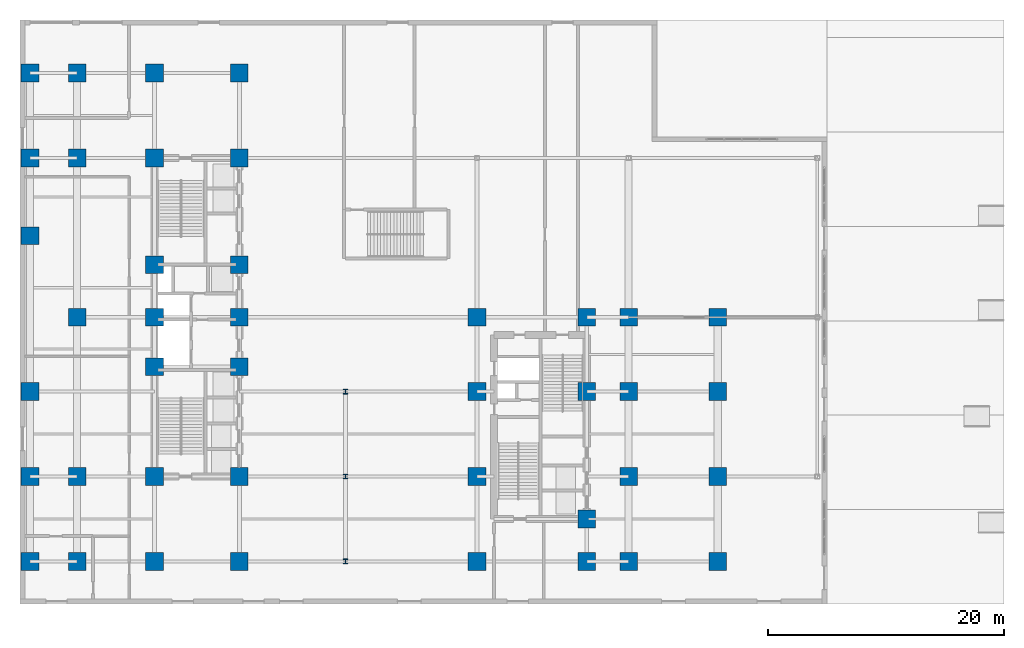
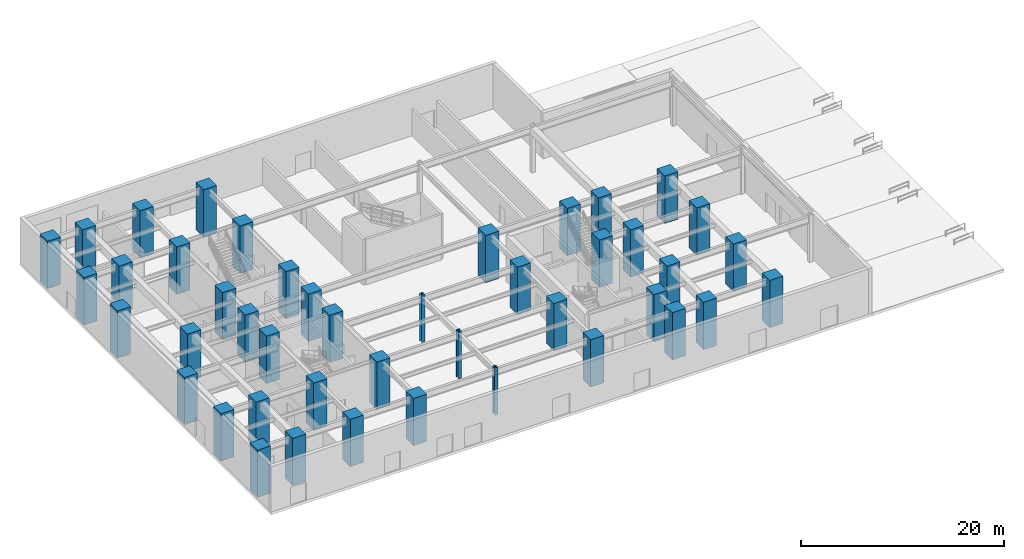
# One storey, part 1 of 18: 44 columns.
"""IFC4 building model written with IfcOpenShell, lengths in metres."""

from ifc_helpers import new_model, entity, si_unit, converted_unit, direction, frame, origin_with_axes, origin_2d_with_axis, place, context, subcontext, project, spatial, rectangle, i_section, extrude, material, material_profile, profile_set, type_object, element, save


model = new_model("IFC4")

# Units and contexts
model_context = context("Model", 3, precision=1e-05, world=origin_with_axes(), true_north=direction((0.0, 1.0)))
body_context = subcontext(model_context, "Body", "Model", "MODEL_VIEW")
ifc_project = project(units=[si_unit("LENGTHUNIT", "METRE"), si_unit("AREAUNIT", "SQUARE_METRE"), si_unit("VOLUMEUNIT", "CUBIC_METRE"), converted_unit("PLANEANGLEUNIT", "DEGREE", entity("IfcPlaneAngleMeasure", 0.017453292519943295), si_unit("PLANEANGLEUNIT", "RADIAN"), dimensions=[0, 0, 0, 0, 0, 0, 0]), si_unit("MASSUNIT", "GRAM", prefix="KILO"), si_unit("THERMODYNAMICTEMPERATUREUNIT", "KELVIN")], contexts=[model_context])

# Site, building, storey
site_placement = place(None, origin_with_axes())
site = spatial("IfcSite", under=ifc_project, at=site_placement, CompositionType="ELEMENT")
building_placement = place(site_placement, origin_with_axes())
building = spatial("IfcBuilding", under=site, at=building_placement, Name="Varnlund Millrace Tower", CompositionType="ELEMENT")
storey_placement = place(building_placement, origin_with_axes())
storey = spatial("IfcBuildingStorey", under=building, at=storey_placement, Name="L00", CompositionType="ELEMENT", Elevation=0.0)

# Columns
ifc_material_1 = material(Name="Steel ASTM A913 Grade 65", Category="steel")
ifc_material_profile_1 = material_profile(ifc_material_1, i_section(OverallWidth=0.406, OverallDepth=0.416, WebThickness=0.0298, FlangeThickness=0.048, FilletRadius=0.022, at=origin_2d_with_axis()), Name="Steel ASTM A913 Grade 65")
ifc_profile_set_1 = profile_set([ifc_material_profile_1], Name="Steel ASTM A913 Grade 65")
column_type_1 = type_object("IfcColumnType", Name="Type-Col-Int-W14X257", PredefinedType="COLUMN", material=ifc_profile_set_1)
for number, where, z_axis, x_axis, name in (
    (1, (27.6, 3.6, 0.0), (0.0, 0.0, 1.0), (1.0, 0.0, 0.0), "Type-Col-Int-W14X257"),
    (2, (27.6, 10.8, 0.0), (0.0, 0.0, 1.0), (1.0, 0.0, 0.0), "Type-Col-Int-W14X257"),
    (3, (27.6, 18.0, 0.0), (0.0, 0.0, 1.0), (1.0, 0.0, 0.0), "Type-Col-Int-W14X257"),
):
    element("IfcColumn", number, at=place(storey_placement, frame(where, z_axis=z_axis, x_axis=x_axis)), inside=storey, type_object=column_type_1, Name=name, PredefinedType="COLUMN", context=body_context, shape_type="SweptSolid", body=[
        extrude(i_section(OverallWidth=0.406, OverallDepth=0.416, WebThickness=0.0298, FlangeThickness=0.048, FilletRadius=0.022, at=origin_2d_with_axis()), origin_with_axes(), (0.0, 0.0, 1.0), 5.7),
    ])
ifc_material_2 = material(Name="Concrete C80/95", Category="concrete")
ifc_material_profile_2 = material_profile(ifc_material_2, rectangle(XDim=1.5, YDim=1.5, at=origin_2d_with_axis()), Name="Concrete C80/95")
ifc_profile_set_2 = profile_set([ifc_material_profile_2], Name="Concrete C80/95")
column_type_2 = type_object("IfcColumnType", Name="Type-Col-RC1500-C80", PredefinedType="COLUMN", material=ifc_profile_set_2)
for number, where, z_axis, x_axis, name in (
    (4, (11.4, 3.6, 0.0), (0.0, 0.0, 1.0), (1.0, 0.0, 0.0), "Type-Col-RC1500-C80"),
    (5, (11.4, 10.8, 0.0), (0.0, 0.0, 1.0), (1.0, 0.0, 0.0), "Type-Col-RC1500-C80"),
    (6, (11.4, 20.1, 0.0), (0.0, 0.0, 1.0), (1.0, 0.0, 0.0), "Type-Col-RC1500-C80"),
    (7, (11.4, 24.3, 0.0), (0.0, 0.0, 1.0), (1.0, 0.0, 0.0), "Type-Col-RC1500-C80"),
    (8, (11.4, 28.75, 0.0), (0.0, 0.0, 1.0), (1.0, 0.0, 0.0), "Type-Col-RC1500-C80"),
    (9, (11.4, 37.8, 0.0), (0.0, 0.0, 1.0), (1.0, 0.0, 0.0), "Type-Col-RC1500-C80"),
    (10, (11.4, 45.0, 0.0), (0.0, 0.0, 1.0), (1.0, 0.0, 0.0), "Type-Col-RC1500-C80"),
    (11, (18.6, 3.6, 0.0), (0.0, 0.0, 1.0), (1.0, 0.0, 0.0), "Type-Col-RC1500-C80"),
    (12, (18.6, 10.8, 0.0), (0.0, 0.0, 1.0), (1.0, 0.0, 0.0), "Type-Col-RC1500-C80"),
    (13, (18.6, 20.1, 0.0), (0.0, 0.0, 1.0), (1.0, 0.0, 0.0), "Type-Col-RC1500-C80"),
    (14, (18.6, 24.3, 0.0), (0.0, 0.0, 1.0), (1.0, 0.0, 0.0), "Type-Col-RC1500-C80"),
    (15, (18.6, 28.75, 0.0), (0.0, 0.0, 1.0), (1.0, 0.0, 0.0), "Type-Col-RC1500-C80"),
    (16, (18.6, 37.8, 0.0), (0.0, 0.0, 1.0), (1.0, 0.0, 0.0), "Type-Col-RC1500-C80"),
    (17, (18.6, 45.0, 0.0), (0.0, 0.0, 1.0), (1.0, 0.0, 0.0), "Type-Col-RC1500-C80"),
    (18, (4.85, 3.6, 0.0), (0.0, 0.0, 1.0), (1.0, 0.0, 0.0), "Type-Col-RC1500-C80"),
    (19, (4.85, 10.8, 0.0), (0.0, 0.0, 1.0), (1.0, 0.0, 0.0), "Type-Col-RC1500-C80"),
    (20, (4.85, 24.3, 0.0), (0.0, 0.0, 1.0), (1.0, 0.0, 0.0), "Type-Col-RC1500-C80"),
    (21, (4.85, 37.8, 0.0), (0.0, 0.0, 1.0), (1.0, 0.0, 0.0), "Type-Col-RC1500-C80"),
    (22, (4.85, 45.0, 0.0), (0.0, 0.0, 1.0), (1.0, 0.0, 0.0), "Type-Col-RC1500-C80"),
    (23, (0.85, 3.6, 0.0), (0.0, 0.0, 1.0), (1.0, 0.0, 0.0), "Type-Col-RC1500-C80"),
    (24, (0.85, 10.8, 0.0), (0.0, 0.0, 1.0), (1.0, 0.0, 0.0), "Type-Col-RC1500-C80"),
    (25, (0.85, 18.0, 0.0), (0.0, 0.0, 1.0), (1.0, 0.0, 0.0), "Type-Col-RC1500-C80"),
    (26, (0.85, 31.2, 0.0), (0.0, 0.0, 1.0), (1.0, 0.0, 0.0), "Type-Col-RC1500-C80"),
    (27, (0.85, 37.8, 0.0), (0.0, 0.0, 1.0), (1.0, 0.0, 0.0), "Type-Col-RC1500-C80"),
    (28, (0.85, 45.0, 0.0), (0.0, 0.0, 1.0), (1.0, 0.0, 0.0), "Type-Col-RC1500-C80"),
    (29, (38.75, 3.6, 0.0), (0.0, 0.0, 1.0), (1.0, 0.0, 0.0), "Type-Col-RC1500-C80"),
    (30, (38.75, 10.8, 0.0), (0.0, 0.0, 1.0), (1.0, 0.0, 0.0), "Type-Col-RC1500-C80"),
    (31, (38.75, 18.0, 0.0), (0.0, 0.0, 1.0), (1.0, 0.0, 0.0), "Type-Col-RC1500-C80"),
    (32, (38.75, 24.3, 0.0), (0.0, 0.0, 1.0), (1.0, 0.0, 0.0), "Type-Col-RC1500-C80"),
    (33, (48.05, 3.6, 0.0), (0.0, 0.0, 1.0), (1.0, 0.0, 0.0), "Type-Col-RC1500-C80"),
    (34, (48.05, 7.2, 0.0), (0.0, 0.0, 1.0), (1.0, 0.0, 0.0), "Type-Col-RC1500-C80"),
    (35, (48.05, 18.0, 0.0), (0.0, 0.0, 1.0), (1.0, 0.0, 0.0), "Type-Col-RC1500-C80"),
    (36, (48.05, 24.3, 0.0), (0.0, 0.0, 1.0), (1.0, 0.0, 0.0), "Type-Col-RC1500-C80"),
    (37, (51.6, 3.6, 0.0), (0.0, 0.0, 1.0), (1.0, 0.0, 0.0), "Type-Col-RC1500-C80"),
    (38, (51.6, 10.8, 0.0), (0.0, 0.0, 1.0), (1.0, 0.0, 0.0), "Type-Col-RC1500-C80"),
    (39, (51.6, 18.0, 0.0), (0.0, 0.0, 1.0), (1.0, 0.0, 0.0), "Type-Col-RC1500-C80"),
    (40, (51.6, 24.3, 0.0), (0.0, 0.0, 1.0), (1.0, 0.0, 0.0), "Type-Col-RC1500-C80"),
    (41, (59.15, 3.6, 0.0), (0.0, 0.0, 1.0), (1.0, 0.0, 0.0), "Type-Col-RC1500-C80"),
    (42, (59.15, 10.8, 0.0), (0.0, 0.0, 1.0), (1.0, 0.0, 0.0), "Type-Col-RC1500-C80"),
    (43, (59.15, 18.0, 0.0), (0.0, 0.0, 1.0), (1.0, 0.0, 0.0), "Type-Col-RC1500-C80"),
    (44, (59.15, 24.3, 0.0), (0.0, 0.0, 1.0), (1.0, 0.0, 0.0), "Type-Col-RC1500-C80"),
):
    element("IfcColumn", number, at=place(storey_placement, frame(where, z_axis=z_axis, x_axis=x_axis)), inside=storey, type_object=column_type_2, Name=name, PredefinedType="COLUMN", context=body_context, shape_type="SweptSolid", body=[
        extrude(rectangle(XDim=1.5, YDim=1.5, at=origin_2d_with_axis()), origin_with_axes(), (0.0, 0.0, 1.0), 5.7),
    ])

save(model, "model.ifc")
